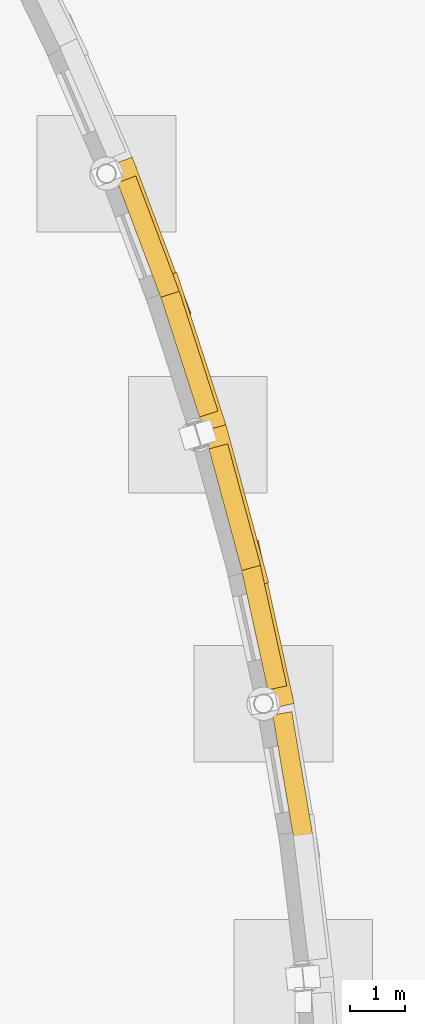
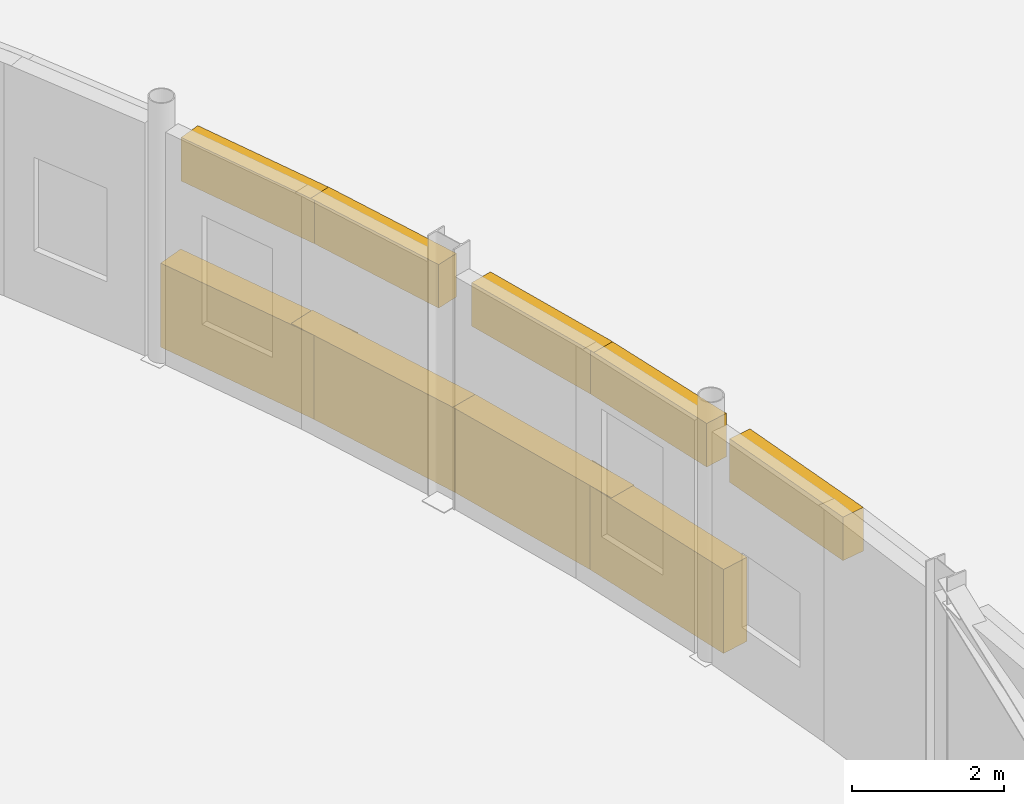
# One storey, part 87 of 88: 5 shading devices, 4 coverings.
"""IFC4 building model written with IfcOpenShell, lengths in metres."""

from ifc_helpers import new_model, si_unit, direction, frame, origin, origin_2d, place, context, subcontext, project, spatial, rectangle, extrude, material, layer, layer_set, type_object, element, save


model = new_model("IFC4")

# Units and contexts
model_context = context("Model", 3, precision=1e-05, world=origin(), true_north=direction((0.0, 1.0)))
body_context = subcontext(model_context, "Body", "Model", "MODEL_VIEW")
ifc_project = project(units=[si_unit("LENGTHUNIT", "METRE"), si_unit("AREAUNIT", "SQUARE_METRE"), si_unit("VOLUMEUNIT", "CUBIC_METRE"), si_unit("PLANEANGLEUNIT", "RADIAN"), si_unit("MASSUNIT", "GRAM", prefix="KILO")], contexts=[model_context])

# Site, building, storey
site_placement = place(None, origin())
site = spatial("IfcSite", under=ifc_project, at=site_placement, CompositionType="ELEMENT")
building_placement = place(site_placement, origin())
building = spatial("IfcBuilding", under=site, at=building_placement, Name="Vanh Quang Courtyard School", CompositionType="ELEMENT")
storey_placement = place(building_placement, origin())
storey = spatial("IfcBuildingStorey", under=building, at=storey_placement, Name="L00", CompositionType="ELEMENT", Elevation=0.0)

# Coverings
ifc_material_1 = material(Name="White precast concrete C40/50", Category="concrete")
ifc_layer = layer(ifc_material_1, 0.419921875)
ifc_layer_set = layer_set([ifc_layer], Name="White precast concrete C40/50")
covering_type = type_object("IfcCoveringType", Name="COV-CLAD-WHITE", PredefinedType="CLADDING", material=ifc_layer_set)
covering_1_placement = place(storey_placement, frame((161.01416015625, 74.28955078125, 0.044921875), z_axis=(0.0, 0.0, 1.0), x_axis=(0.352168373381, -0.935936662809, 0.0)))
element("IfcCovering", 1, at=covering_1_placement, inside=storey, type_object=covering_type, Name="Covering CL-01 (L00)", PredefinedType="CLADDING", context=body_context, shape_type="SweptSolid", body=[
    extrude(rectangle(XDim=3.019775390625, YDim=0.419921875, at=origin_2d()), origin(), (0.0, 0.0, 1.0), 1.35009765625),
])
for number, where, z_axis, x_axis, name in (
    (2, (161.7333984375, 72.23193359375, 0.044921875), (0.0, 0.0, 1.0), (0.307024429971, -0.951701633602, 0.0), "Covering CL-01 (L00)"),
    (3, (162.550537109375, 69.473388671875, 0.044921875), (0.0, 0.0, 1.0), (0.261009993198, -0.965336098699, 0.0), "Covering CL-01 (L00)"),
):
    element("IfcCovering", number, at=place(storey_placement, frame(where, z_axis=z_axis, x_axis=x_axis)), inside=storey, type_object=covering_type, Name=name, PredefinedType="CLADDING", context=body_context, shape_type="SweptSolid", body=[
        extrude(rectangle(XDim=2.948974609375, YDim=0.419921875, at=origin_2d()), origin(), (0.0, 0.0, 1.0), 1.35009765625),
    ])
covering_2_placement = place(storey_placement, frame((163.06787109375, 67.356201171875, 0.044921875), z_axis=(0.0, 0.0, 1.0), x_axis=(0.214223913346, -0.976784579603, 0.0)))
element("IfcCovering", 4, at=covering_2_placement, inside=storey, type_object=covering_type, Name="Covering CL-01 (L00)", PredefinedType="CLADDING", context=body_context, shape_type="SweptSolid", body=[
    extrude(rectangle(XDim=3.019775390625, YDim=0.419921875, at=origin_2d()), origin(), (0.0, 0.0, 1.0), 1.35009765625),
])

# Shading devices
ifc_material_2 = material(Name="Anodised aluminium storm louvre", Category="aluminium")
shading_device_type = type_object("IfcShadingDeviceType", Name="SHD-LOUVRE-STORM", PredefinedType="JALOUSIE", material=ifc_material_2)
shading_device_placement = place(storey_placement, frame((160.99072265625, 74.28076171875, 2.85986328125), z_axis=(0.0, 0.0, 1.0), x_axis=(0.352168373381, -0.935936662809, 0.0)))
element("IfcShadingDevice", 5, at=shading_device_placement, inside=storey, type_object=shading_device_type, Name="Solar Shading SH-01 (L00)", PredefinedType="JALOUSIE", context=body_context, shape_type="SweptSolid", body=[
    extrude(rectangle(XDim=2.33984375, YDim=0.35009765625, at=origin_2d()), origin(), (0.0, 0.0, 1.0), 0.699951171875),
])
for number, where, z_axis, x_axis, name in (
    (6, (161.709716796875, 72.224365234375, 2.85986328125), (0.0, 0.0, 1.0), (0.307024429971, -0.951701633602, 0.0), "Solar Shading SH-01 (L00)"),
    (7, (162.5263671875, 69.466796875, 2.85986328125), (0.0, 0.0, 1.0), (0.261009993198, -0.965336098699, 0.0), "Solar Shading SH-01 (L00)"),
):
    element("IfcShadingDevice", number, at=place(storey_placement, frame(where, z_axis=z_axis, x_axis=x_axis)), inside=storey, type_object=shading_device_type, Name=name, PredefinedType="JALOUSIE", context=body_context, shape_type="SweptSolid", body=[
        extrude(rectangle(XDim=2.26904296875, YDim=0.35009765625, at=origin_2d()), origin(), (0.0, 0.0, 1.0), 0.699951171875),
    ])
for number, where, z_axis, x_axis, name in (
    (8, (163.04345703125, 67.3505859375, 2.85986328125), (0.0, 0.0, 1.0), (0.214223913346, -0.976784579603, 0.0), "Solar Shading SH-01 (L00)"),
    (9, (163.57861328125, 64.596923828125, 2.85986328125), (0.0, 0.0, 1.0), (0.16728499015, -0.985908582005, 0.0), "Solar Shading SH-01 (L00)"),
):
    element("IfcShadingDevice", number, at=place(storey_placement, frame(where, z_axis=z_axis, x_axis=x_axis)), inside=storey, type_object=shading_device_type, Name=name, PredefinedType="JALOUSIE", context=body_context, shape_type="SweptSolid", body=[
        extrude(rectangle(XDim=2.33984375, YDim=0.35009765625, at=origin_2d()), origin(), (0.0, 0.0, 1.0), 0.699951171875),
    ])

save(model, "model.ifc")
